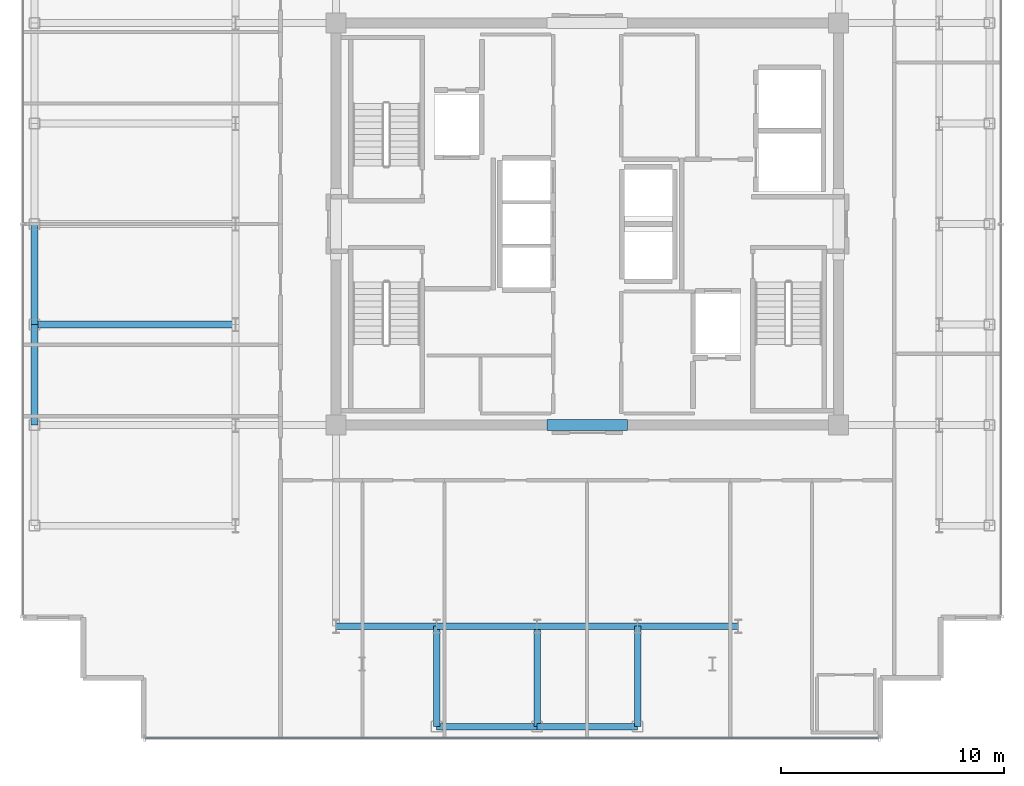
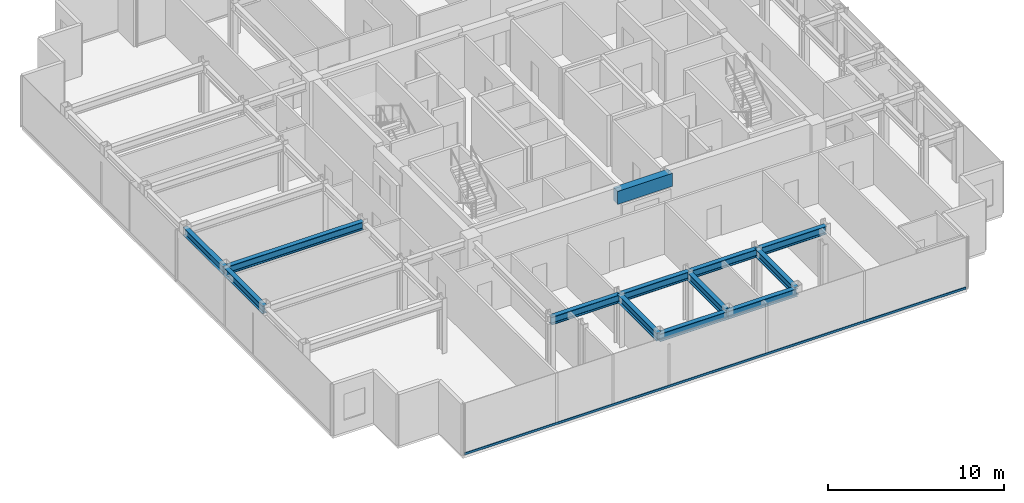
# One storey, part 3 of 18: 13 beams, 1 member, 1 element without a shape of its own.
"""IFC4 building model written with IfcOpenShell, lengths in metres."""

from ifc_helpers import new_model, si_unit, direction, frame, origin, origin_2d, place, context, subcontext, project, spatial, rectangle, hollow_rectangle, i_section, extrude, source, transform, mapped, material, layer, layer_set, material_profile, profile_set, type_object, element, aggregate, save


model = new_model("IFC4")

# Units and contexts
model_context = context("Model", 3, precision=1e-05, world=origin(), true_north=direction((0.0, 1.0)))
body_context = subcontext(model_context, "Body", "Model", "MODEL_VIEW")
ifc_project = project(units=[si_unit("LENGTHUNIT", "METRE"), si_unit("AREAUNIT", "SQUARE_METRE"), si_unit("VOLUMEUNIT", "CUBIC_METRE"), si_unit("PLANEANGLEUNIT", "RADIAN"), si_unit("MASSUNIT", "GRAM", prefix="KILO")], contexts=[model_context])

# Site, building, storey
site_placement = place(None, origin())
site = spatial("IfcSite", under=ifc_project, at=site_placement, CompositionType="ELEMENT")
building_placement = place(site_placement, origin())
building = spatial("IfcBuilding", under=site, at=building_placement, Name="Nefas-Gora Pilgrimage Tower", CompositionType="ELEMENT")
storey_placement = place(building_placement, frame((0.0, 0.0, 306.39990234375)))
storey = spatial("IfcBuildingStorey", under=building, at=storey_placement, Name="L77", CompositionType="ELEMENT", Elevation=306.39990234375)

# Beams
ifc_material_1 = material(Name="Concrete C50/60", Category="concrete")
ifc_material_profile_1 = material_profile(ifc_material_1, rectangle(XDim=0.5, YDim=0.89990234375, at=origin_2d()), Name="RC 500x900")
ifc_profile_set_1 = profile_set([ifc_material_profile_1], Name="Concrete C50/60")
beam_type_1 = type_object("IfcBeamType", Name="BM-LIN-RC900", PredefinedType="LINTEL", material=ifc_profile_set_1)
shared_shape_1 = source(origin(), body_context, "Body", "SweptSolid", [
    extrude(rectangle(XDim=0.5, YDim=0.89990234375, at=origin_2d()), origin(), (0.0, 0.0, 1.0), 3.60009765625),
])
beam_1_placement = place(storey_placement, frame((-1.800048828125, -9.0, 3.10009765625), z_axis=(1.0, 0.0, 0.0), x_axis=(0.0, 1.0, 0.0)))
element("IfcBeam", 1, at=beam_1_placement, inside=storey, type_object=beam_type_1, Name="L77 Core Coupling Lintel Beam S", PredefinedType="LINTEL", context=body_context, shape_type="MappedRepresentation", body=[
    mapped(shared_shape_1, transform((0.0, 0.0, 0.0), x_axis=(1.0, 0.0, 0.0), y_axis=(0.0, 1.0, 0.0), z_axis=(0.0, 0.0, 1.0), scale=1.0)),
])
ifc_material_2 = material(Name="Steel S355", Category="steel")
ifc_material_profile_2 = material_profile(ifc_material_2, i_section(OverallWidth=0.300048828125, OverallDepth=0.550048828125, WebThickness=0.014892578125, FlangeThickness=0.029052734375, FilletRadius=0.027099609375, at=origin_2d()), Name="HEB 550")
ifc_profile_set_2 = profile_set([ifc_material_profile_2], Name="Steel S355")
beam_type_2 = type_object("IfcBeamType", Name="BM-SPN-HEB400", PredefinedType="SPANDREL", material=ifc_profile_set_2)
shared_shape_2 = source(origin(), body_context, "Body", "SweptSolid", [
    extrude(i_section(OverallWidth=0.300048828125, OverallDepth=0.550048828125, WebThickness=0.014892578125, FlangeThickness=0.029052734375, FilletRadius=0.027099609375, at=origin_2d()), origin(), (0.0, 0.0, 1.0), 4.5),
])
for number, where, z_axis, x_axis, name in (
    (2, (-24.75, -9.0, 3.275146484375), (0.0, 1.0, 0.0), (-1.0, 0.0, 0.0), "L77 SP-04 beam"),
    (3, (-24.75, -4.5, 3.275146484375), (0.0, 1.0, 0.0), (-1.0, 0.0, 0.0), "L77 SP-04 beam"),
    (4, (-6.75, -22.5, 3.275146484375), (1.0, 0.0, 0.0), (0.0, 1.0, 0.0), "L77 SP-04 beam"),
    (5, (-2.25, -22.5, 3.275146484375), (1.0, 0.0, 0.0), (0.0, 1.0, 0.0), "L77 SP-04 beam"),
):
    element("IfcBeam", number, at=place(storey_placement, frame(where, z_axis=z_axis, x_axis=x_axis)), inside=storey, type_object=beam_type_2, Name=name, PredefinedType="SPANDREL", context=body_context, shape_type="MappedRepresentation", body=[
        mapped(shared_shape_2, transform((0.0, 0.0, 0.0), x_axis=(1.0, 0.0, 0.0), y_axis=(0.0, 1.0, 0.0), z_axis=(0.0, 0.0, 1.0), scale=1.0)),
    ])
ifc_material_profile_3 = material_profile(ifc_material_2, i_section(OverallWidth=0.300048828125, OverallDepth=0.550048828125, WebThickness=0.014892578125, FlangeThickness=0.029052734375, FilletRadius=0.027099609375, at=origin_2d()), Name="HEB 550")
ifc_profile_set_3 = profile_set([ifc_material_profile_3], Name="Steel S355")
beam_type_3 = type_object("IfcBeamType", Name="BM-GIR-HEB550", PredefinedType="BEAM", material=ifc_profile_set_3)
shared_shape_3 = source(origin(), body_context, "Body", "SweptSolid", [
    extrude(i_section(OverallWidth=0.300048828125, OverallDepth=0.550048828125, WebThickness=0.014892578125, FlangeThickness=0.029052734375, FilletRadius=0.027099609375, at=origin_2d()), origin(), (0.0, 0.0, 1.0), 9.0),
])
beam_2_placement = place(storey_placement, frame((-24.75, -4.5, 3.275146484375), z_axis=(1.0, 0.0, 0.0), x_axis=(0.0, 1.0, 0.0)))
element("IfcBeam", 6, at=beam_2_placement, inside=storey, type_object=beam_type_3, Name="L77 G-05 beam", PredefinedType="BEAM", context=body_context, shape_type="MappedRepresentation", body=[
    mapped(shared_shape_3, transform((0.0, 0.0, 0.0), x_axis=(1.0, 0.0, 0.0), y_axis=(0.0, 1.0, 0.0), z_axis=(0.0, 0.0, 1.0), scale=1.0)),
])
shared_shape_4 = source(origin(), body_context, "Body", "SweptSolid", [
    extrude(i_section(OverallWidth=0.300048828125, OverallDepth=0.550048828125, WebThickness=0.014892578125, FlangeThickness=0.029052734375, FilletRadius=0.027099609375, at=origin_2d()), origin(), (0.0, 0.0, 1.0), 4.5),
])
for number, where, z_axis, x_axis, name in (
    (7, (-11.25, -18.0, 3.275146484375), (1.0, 0.0, 0.0), (0.0, 1.0, 0.0), "L77 G-05 beam"),
    (8, (-6.75, -22.5, 3.275146484375), (0.0, 1.0, 0.0), (-1.0, 0.0, 0.0), "L77 G-05 beam"),
    (9, (-6.75, -18.0, 3.275146484375), (1.0, 0.0, 0.0), (0.0, 1.0, 0.0), "L77 G-05 beam"),
    (10, (-2.25, -22.5, 3.275146484375), (0.0, 1.0, 0.0), (-1.0, 0.0, 0.0), "L77 G-05 beam"),
    (11, (-2.25, -18.0, 3.275146484375), (1.0, 0.0, 0.0), (0.0, 1.0, 0.0), "L77 G-05 beam"),
    (12, (2.25, -22.5, 3.275146484375), (0.0, 1.0, 0.0), (-1.0, 0.0, 0.0), "L77 G-05 beam"),
    (13, (2.25, -18.0, 3.275146484375), (1.0, 0.0, 0.0), (0.0, 1.0, 0.0), "L77 G-05 beam"),
):
    element("IfcBeam", number, at=place(storey_placement, frame(where, z_axis=z_axis, x_axis=x_axis)), inside=storey, type_object=beam_type_3, Name=name, PredefinedType="BEAM", context=body_context, shape_type="MappedRepresentation", body=[
        mapped(shared_shape_4, transform((0.0, 0.0, 0.0), x_axis=(1.0, 0.0, 0.0), y_axis=(0.0, 1.0, 0.0), z_axis=(0.0, 0.0, 1.0), scale=1.0)),
    ])

# Curtain wall, member
ifc_material_3 = material(Name="Dark ceramic-fritted solar-control aluminium-glass curtain wall", Category="aluminium")
ifc_layer = layer(ifc_material_3, 0.219970703125)
ifc_layer_set = layer_set([ifc_layer], Name="Dark ceramic-fritted solar-control aluminium-glass curtain wall")
curtain_wall_type = type_object("IfcCurtainWallType", Name="CW-SYS-4", PredefinedType="NOTDEFINED", material=ifc_layer_set)
curtain_wall_placement = place(storey_placement, origin())
curtain_wall = element("IfcCurtainWall", 14, at=curtain_wall_placement, inside=storey, type_object=curtain_wall_type, Name="L77 Unitised Curtain Wall CW4", PredefinedType="NOTDEFINED")
ifc_material_4 = material(Name="Anodised architectural aluminium", Category="aluminium")
ifc_material_profile_4 = material_profile(ifc_material_4, hollow_rectangle(XDim=0.080078125, YDim=0.159912109375, WallThickness=0.00439453125, InnerFilletRadius=0.00439453125, OuterFilletRadius=0.009033203125, at=origin_2d()), Name="ALU TRANSOM 80x160")
ifc_profile_set_4 = profile_set([ifc_material_profile_4], Name="Anodised architectural aluminium")
member_type = type_object("IfcMemberType", Name="CWM-TRN-4", PredefinedType="USERDEFINED", material=ifc_profile_set_4)
shared_shape_5 = source(origin(), body_context, "Body", "SweptSolid", [
    extrude(hollow_rectangle(XDim=0.080078125, YDim=0.159912109375, WallThickness=0.00439453125, InnerFilletRadius=0.00439453125, OuterFilletRadius=0.009033203125, at=origin_2d()), origin(), (0.0, 0.0, 1.0), 32.81005859375),
])
member_placement = place(storey_placement, frame((-19.780029296875, -23.02001953125, 0.050048828125), z_axis=(1.0, 0.0, 0.0), x_axis=(0.0, 1.0, 0.0)))
member = element("IfcMember", 15, at=member_placement, type_object=member_type, Name="CW4 Spandrel Transom", ObjectType="TRANSOM", PredefinedType="USERDEFINED", context=body_context, shape_type="MappedRepresentation", body=[
    mapped(shared_shape_5, transform((0.0, 0.0, 0.0), x_axis=(1.0, 0.0, 0.0), y_axis=(0.0, 1.0, 0.0), z_axis=(0.0, 0.0, 1.0), scale=1.0)),
])
aggregate(curtain_wall, [member])

save(model, "model.ifc")
